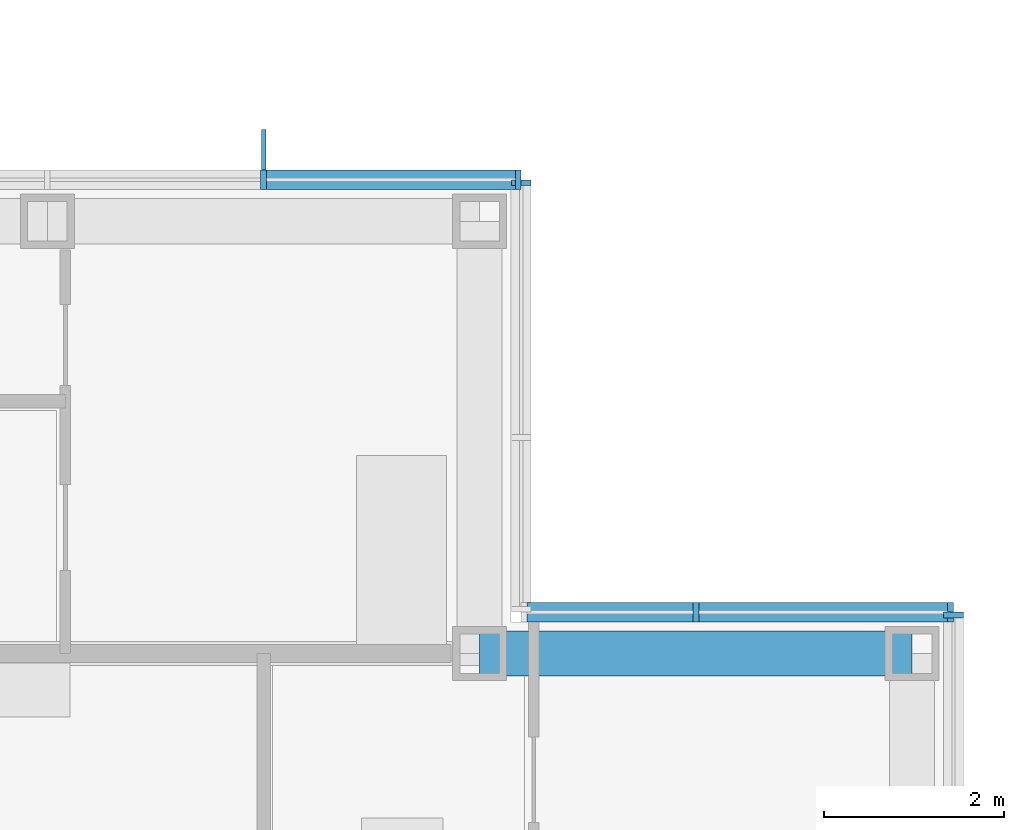
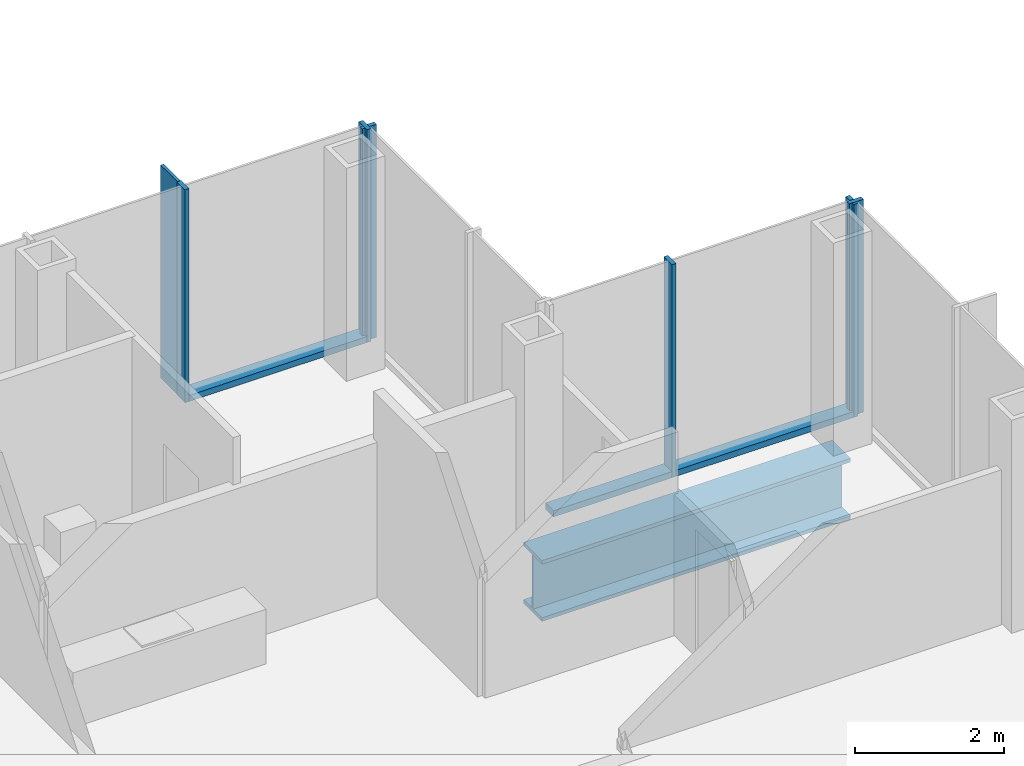
# One storey, part 9 of 20: 10 members, 1 beam, 4 elements without a shape of their own.
"""IFC4 building model written with IfcOpenShell, lengths in metres."""

from ifc_helpers import new_model, si_unit, direction, frame, origin, origin_2d, place, context, subcontext, project, spatial, rectangle, i_section, extrude, material, material_profile, profile_set, type_object, element, aggregate, save


model = new_model("IFC4")

# Units and contexts
model_context = context("Model", 3, precision=1e-05, world=origin(), true_north=direction((0.0, 1.0)))
body_context = subcontext(model_context, "Body", "Model", "MODEL_VIEW")
ifc_project = project(units=[si_unit("LENGTHUNIT", "METRE"), si_unit("AREAUNIT", "SQUARE_METRE"), si_unit("VOLUMEUNIT", "CUBIC_METRE"), si_unit("PLANEANGLEUNIT", "RADIAN"), si_unit("MASSUNIT", "GRAM", prefix="KILO")], contexts=[model_context])

# Site, building, storey
site_placement = place(None, origin())
site = spatial("IfcSite", under=ifc_project, at=site_placement, CompositionType="ELEMENT")
building_placement = place(site_placement, origin())
building = spatial("IfcBuilding", under=site, at=building_placement, Name="Kvirike Care Tower", CompositionType="ELEMENT")
storey_placement = place(building_placement, frame((0.0, 0.0, 122.5)))
storey = spatial("IfcBuildingStorey", under=building, at=storey_placement, Name="L33", CompositionType="ELEMENT", Elevation=122.5)

# Curtain wall, member
ifc_material_1 = material(Name="Anodised aluminium stick system", Category="aluminium")
curtain_wall_type = type_object("IfcCurtainWallType", Name="CW-B STICK CURTAIN WALL", PredefinedType="NOTDEFINED", material=ifc_material_1)
curtain_wall_1_placement = place(storey_placement, origin())
curtain_wall_1 = element("IfcCurtainWall", 1, at=curtain_wall_1_placement, inside=storey, type_object=curtain_wall_type, Name="Curtain wall L33 face 4", PredefinedType="NOTDEFINED")
ifc_material_2 = material(Name="Bronze anodised aluminium fin", Category="aluminium")
ifc_material_profile_1 = material_profile(ifc_material_2, rectangle(XDim=0.050048828125, YDim=0.449951171875, at=origin_2d()), Name="BRONZE FIN 450")
ifc_profile_set_1 = profile_set([ifc_material_profile_1], Name="Bronze anodised aluminium fin")
member_type_1 = type_object("IfcMemberType", Name="BRONZE FIN 450", PredefinedType="USERDEFINED", material=ifc_profile_set_1)
member_1_placement = place(storey_placement, frame((36.0, 43.9951171875, 0.0), z_axis=(0.0, 0.0, 1.0), x_axis=(-1.0, 0.0, 0.0)))
member_1 = element("IfcMember", 2, at=member_1_placement, type_object=member_type_1, Name="Bronze fin L33 face 4.2", ObjectType="FIN", PredefinedType="USERDEFINED", context=body_context, shape_type="SweptSolid", body=[
    extrude(rectangle(XDim=0.050048828125, YDim=0.449951171875, at=origin_2d()), origin(), (0.0, 0.0, 1.0), 3.5),
])

curtain_wall_2_placement = place(storey_placement, origin())
curtain_wall_2 = element("IfcCurtainWall", 3, at=curtain_wall_2_placement, inside=storey, type_object=curtain_wall_type, Name="Curtain wall L33 face 1", PredefinedType="NOTDEFINED")
ifc_material_3 = material(Name="Bronze anodised aluminium mullion", Category="aluminium")
ifc_material_profile_2 = material_profile(ifc_material_3, rectangle(XDim=0.06494140625, YDim=0.219970703125, at=origin_2d()), Name="CW-B MULLION 65x220")
ifc_profile_set_2 = profile_set([ifc_material_profile_2], Name="Bronze anodised aluminium mullion")
member_type_2 = type_object("IfcMemberType", Name="CW-B MULLION 65x220", PredefinedType="MULLION", material=ifc_profile_set_2)
member_2_placement = place(storey_placement, frame((43.659912109375, 38.827392578125, 0.0), z_axis=(0.0, 0.0, 1.0), x_axis=(0.0, 1.0, 0.0)))
member_2 = element("IfcMember", 4, at=member_2_placement, type_object=member_type_2, Name="CW-B mullion L33 face 1.9", PredefinedType="MULLION", context=body_context, shape_type="SweptSolid", body=[
    extrude(rectangle(XDim=0.06494140625, YDim=0.219970703125, at=origin_2d()), origin(), (0.0, 0.0, 1.0), 3.5),
])
aggregate(curtain_wall_2, [member_2])

# Curtain wall, members
curtain_wall_3_placement = place(storey_placement, origin())
curtain_wall_3 = element("IfcCurtainWall", 5, at=curtain_wall_3_placement, inside=storey, type_object=curtain_wall_type, Name="Curtain wall L33 face 2", PredefinedType="NOTDEFINED")
member_3_placement = place(storey_placement, frame((43.62744140625, 38.860107421875, 0.0), z_axis=(0.0, 0.0, 1.0), x_axis=(-1.0, 0.0, 0.0)))
member_3 = element("IfcMember", 6, at=member_3_placement, type_object=member_type_2, Name="CW-B mullion L33 face 2.1", PredefinedType="MULLION", context=body_context, shape_type="SweptSolid", body=[
    extrude(rectangle(XDim=0.06494140625, YDim=0.219970703125, at=origin_2d()), origin(), (0.0, 0.0, 1.0), 3.5),
])
member_4_placement = place(storey_placement, frame((40.800048828125, 38.860107421875, 0.0), z_axis=(0.0, 0.0, 1.0), x_axis=(-1.0, 0.0, 0.0)))
member_4 = element("IfcMember", 7, at=member_4_placement, type_object=member_type_2, Name="CW-B mullion L33 face 2.2", PredefinedType="MULLION", context=body_context, shape_type="SweptSolid", body=[
    extrude(rectangle(XDim=0.06494140625, YDim=0.219970703125, at=origin_2d()), origin(), (0.0, 0.0, 1.0), 3.5),
])

# Curtain wall, member
curtain_wall_4_placement = place(storey_placement, origin())
curtain_wall_4 = element("IfcCurtainWall", 8, at=curtain_wall_4_placement, inside=storey, type_object=curtain_wall_type, Name="Curtain wall L33 face 3", PredefinedType="NOTDEFINED")
member_5_placement = place(storey_placement, frame((38.860107421875, 43.62744140625, 0.0), z_axis=(0.0, 0.0, 1.0), x_axis=(0.0, 1.0, 0.0)))
member_5 = element("IfcMember", 9, at=member_5_placement, type_object=member_type_2, Name="CW-B mullion L33 face 3.3", PredefinedType="MULLION", context=body_context, shape_type="SweptSolid", body=[
    extrude(rectangle(XDim=0.06494140625, YDim=0.219970703125, at=origin_2d()), origin(), (0.0, 0.0, 1.0), 3.5),
])
aggregate(curtain_wall_4, [member_5])

# Member
member_6_placement = place(storey_placement, frame((38.827392578125, 43.659912109375, 0.0), z_axis=(0.0, 0.0, 1.0), x_axis=(-1.0, 0.0, 0.0)))
member_6 = element("IfcMember", 10, at=member_6_placement, type_object=member_type_2, Name="CW-B mullion L33 face 4.1", PredefinedType="MULLION", context=body_context, shape_type="SweptSolid", body=[
    extrude(rectangle(XDim=0.06494140625, YDim=0.219970703125, at=origin_2d()), origin(), (0.0, 0.0, 1.0), 3.5),
])

member_7_placement = place(storey_placement, frame((36.0, 43.659912109375, 0.0), z_axis=(0.0, 0.0, 1.0), x_axis=(-1.0, 0.0, 0.0)))
member_7 = element("IfcMember", 11, at=member_7_placement, type_object=member_type_2, Name="CW-B mullion L33 face 4.2", PredefinedType="MULLION", context=body_context, shape_type="SweptSolid", body=[
    extrude(rectangle(XDim=0.06494140625, YDim=0.219970703125, at=origin_2d()), origin(), (0.0, 0.0, 1.0), 3.5),
])

ifc_material_4 = material(Name="Bronze anodised aluminium transom", Category="aluminium")
ifc_material_profile_3 = material_profile(ifc_material_4, rectangle(XDim=0.219970703125, YDim=0.10009765625, at=origin_2d()), Name="CW-B TRANSOM 220x100")
ifc_profile_set_3 = profile_set([ifc_material_profile_3], Name="Bronze anodised aluminium transom")
member_type_3 = type_object("IfcMemberType", Name="CW-B TRANSOM 220x100", PredefinedType="USERDEFINED", material=ifc_profile_set_3)
member_8_placement = place(storey_placement, frame((43.594970703125, 38.860107421875, 0.050048828125), z_axis=(-1.0, 0.0, 0.0), x_axis=(0.0, -1.0, 0.0)))
member_8 = element("IfcMember", 12, at=member_8_placement, type_object=member_type_3, Name="CW-B sill transom L33 face 2.1", ObjectType="TRANSOM", PredefinedType="USERDEFINED", context=body_context, shape_type="SweptSolid", body=[
    extrude(rectangle(XDim=0.219970703125, YDim=0.10009765625, at=origin_2d()), origin(), (0.0, 0.0, 1.0), 2.762451171875),
])

member_9_placement = place(storey_placement, frame((40.767578125, 38.860107421875, 0.050048828125), z_axis=(-1.0, 0.0, 0.0), x_axis=(0.0, -1.0, 0.0)))
member_9 = element("IfcMember", 13, at=member_9_placement, type_object=member_type_3, Name="CW-B sill transom L33 face 2.2", ObjectType="TRANSOM", PredefinedType="USERDEFINED", context=body_context, shape_type="SweptSolid", body=[
    extrude(rectangle(XDim=0.219970703125, YDim=0.10009765625, at=origin_2d()), origin(), (0.0, 0.0, 1.0), 1.842529296875),
])

aggregate(curtain_wall_3, [member_3, member_4, member_8, member_9])

member_10_placement = place(storey_placement, frame((38.794921875, 43.659912109375, 0.050048828125), z_axis=(-1.0, 0.0, 0.0), x_axis=(0.0, -1.0, 0.0)))
member_10 = element("IfcMember", 14, at=member_10_placement, type_object=member_type_3, Name="CW-B sill transom L33 face 4.1", ObjectType="TRANSOM", PredefinedType="USERDEFINED", context=body_context, shape_type="SweptSolid", body=[
    extrude(rectangle(XDim=0.219970703125, YDim=0.10009765625, at=origin_2d()), origin(), (0.0, 0.0, 1.0), 2.762451171875),
])

aggregate(curtain_wall_1, [member_6, member_7, member_1, member_10])

# Beam
ifc_material_5 = material(Name="Steel S355", Category="steel")
ifc_material_profile_4 = material_profile(ifc_material_5, i_section(OverallWidth=0.5, OverallDepth=1.0, WebThickness=0.030029296875, FlangeThickness=0.06005859375, at=origin_2d()), Name="PG 1000x500x30x60")
ifc_profile_set_4 = profile_set([ifc_material_profile_4], Name="Steel S355")
beam_type = type_object("IfcBeamType", Name="SPANDREL PG 1000x500x30x60", PredefinedType="SPANDREL", material=ifc_profile_set_4)
beam_placement = place(storey_placement, frame((38.39990234375, 38.39990234375, -0.669921875), z_axis=(1.0, 0.0, 0.0), x_axis=(0.0, 1.0, 0.0)))
element("IfcBeam", 15, at=beam_placement, inside=storey, type_object=beam_type, Name="Spandrel J11-J12 L33", PredefinedType="SPANDREL", context=body_context, shape_type="SweptSolid", body=[
    extrude(i_section(OverallWidth=0.5, OverallDepth=1.0, WebThickness=0.030029296875, FlangeThickness=0.06005859375, at=origin_2d()), origin(), (0.0, 0.0, 1.0), 4.800048828125),
])

save(model, "model.ifc")
